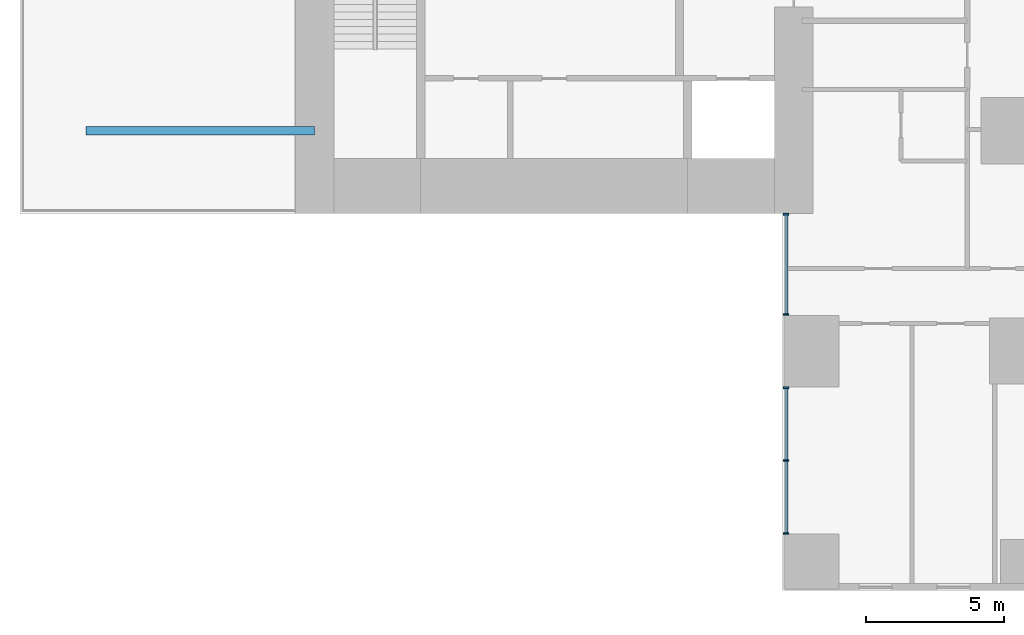
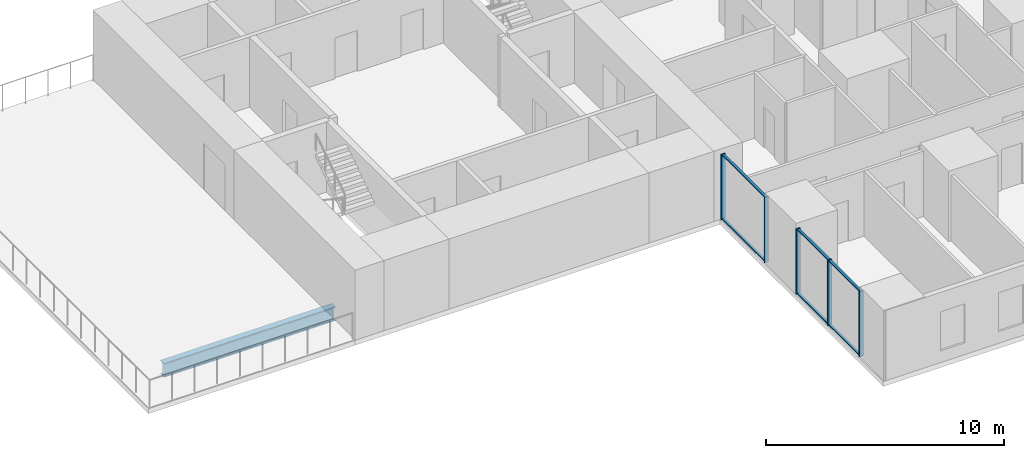
# One storey, part 2 of 14: 11 members, 1 beam, 2 elements without a shape of their own.
"""IFC4 building model written with IfcOpenShell, lengths in metres."""

from ifc_helpers import new_model, si_unit, direction, frame, origin, origin_2d, place, context, subcontext, project, spatial, rectangle, i_section, extrude, material, layer, layer_set, material_profile, profile_set, type_object, element, aggregate, save


model = new_model("IFC4")

# Units and contexts
model_context = context("Model", 3, precision=1e-05, world=origin(), true_north=direction((0.0, 1.0)))
body_context = subcontext(model_context, "Body", "Model", "MODEL_VIEW")
ifc_project = project(units=[si_unit("LENGTHUNIT", "METRE"), si_unit("AREAUNIT", "SQUARE_METRE"), si_unit("VOLUMEUNIT", "CUBIC_METRE"), si_unit("PLANEANGLEUNIT", "RADIAN"), si_unit("MASSUNIT", "GRAM", prefix="KILO")], contexts=[model_context])

# Site, building, storey
site_placement = place(None, origin())
site = spatial("IfcSite", under=ifc_project, at=site_placement, CompositionType="ELEMENT")
building_placement = place(site_placement, origin())
building = spatial("IfcBuilding", under=site, at=building_placement, Name="Cleftline Residences", CompositionType="ELEMENT")
storey_placement = place(building_placement, frame((0.0, 0.0, 230.39990234375)))
storey = spatial("IfcBuildingStorey", under=building, at=storey_placement, Name="L60", CompositionType="ELEMENT", Elevation=230.39990234375)

# Beam
ifc_material_1 = material(Name="Steel S355", Category="steel")
ifc_material_profile_1 = material_profile(ifc_material_1, i_section(OverallWidth=0.303955078125, OverallDepth=0.716064453125, WebThickness=0.02099609375, FlangeThickness=0.0400390625, FilletRadius=0.027099609375, at=origin_2d()))
ifc_profile_set_1 = profile_set([ifc_material_profile_1], Name="Steel S355")
beam_type = type_object("IfcBeamType", Name="BEAM HEM 700", PredefinedType="BEAM", material=ifc_profile_set_1)
beam_placement = place(storey_placement, frame((16.0, 16.0, -0.60791015625), z_axis=(1.0, 0.0, 0.0), x_axis=(0.0, 1.0, 0.0)))
element("IfcBeam", 1, at=beam_placement, inside=storey, type_object=beam_type, Name="Band beam", PredefinedType="BEAM", context=body_context, shape_type="SweptSolid", body=[
    extrude(i_section(OverallWidth=0.303955078125, OverallDepth=0.716064453125, WebThickness=0.02099609375, FlangeThickness=0.0400390625, FilletRadius=0.027099609375, at=origin_2d()), origin(), (0.0, 0.0, 1.0), 8.300048828125),
])

# Curtain wall, members
ifc_material_2 = material(Name="Aluminium framed curtain wall", Category="aluminium")
ifc_layer = layer(ifc_material_2, 0.199951171875)
ifc_layer_set = layer_set([ifc_layer], Name="CW1 CLEFT GLAZING")
curtain_wall_type = type_object("IfcCurtainWallType", Name="CW1 CLEFT GLAZING", PredefinedType="NOTDEFINED", material=ifc_layer_set)
curtain_wall_1_placement = place(storey_placement, origin())
curtain_wall_1 = element("IfcCurtainWall", 2, at=curtain_wall_1_placement, inside=storey, type_object=curtain_wall_type, Name="Curtain wall CW1", PredefinedType="NOTDEFINED")
ifc_material_3 = material(Name="Aluminium mullion", Category="aluminium")
ifc_material_profile_2 = material_profile(ifc_material_3, rectangle(XDim=0.199951171875, YDim=0.06005859375, at=origin_2d()))
ifc_profile_set_2 = profile_set([ifc_material_profile_2], Name="Aluminium mullion")
member_type_1 = type_object("IfcMemberType", Name="CW1 MULLION", PredefinedType="MULLION", material=ifc_profile_set_2)
member_1_placement = place(storey_placement, frame((41.425048828125, 12.969970703125, 0.0), z_axis=(0.0, 0.0, 1.0), x_axis=(1.0, 0.0, 0.0)))
member_1 = element("IfcMember", 3, at=member_1_placement, type_object=member_type_1, Name="CW1 mullion 1", PredefinedType="MULLION", context=body_context, shape_type="SweptSolid", body=[
    extrude(rectangle(XDim=0.199951171875, YDim=0.06005859375, at=origin_2d()), origin(), (0.0, 0.0, 1.0), 3.35009765625),
])
member_2_placement = place(storey_placement, frame((41.425048828125, 9.330078125, 0.0), z_axis=(0.0, 0.0, 1.0), x_axis=(1.0, 0.0, 0.0)))
member_2 = element("IfcMember", 4, at=member_2_placement, type_object=member_type_1, Name="CW1 mullion 2", PredefinedType="MULLION", context=body_context, shape_type="SweptSolid", body=[
    extrude(rectangle(XDim=0.199951171875, YDim=0.06005859375, at=origin_2d()), origin(), (0.0, 0.0, 1.0), 3.35009765625),
])

curtain_wall_2_placement = place(storey_placement, origin())
curtain_wall_2 = element("IfcCurtainWall", 5, at=curtain_wall_2_placement, inside=storey, type_object=curtain_wall_type, Name="Curtain wall CW1", PredefinedType="NOTDEFINED")
member_3_placement = place(storey_placement, frame((41.425048828125, 6.669921875, 0.0), z_axis=(0.0, 0.0, 1.0), x_axis=(1.0, 0.0, 0.0)))
member_3 = element("IfcMember", 6, at=member_3_placement, type_object=member_type_1, Name="CW1 mullion 1", PredefinedType="MULLION", context=body_context, shape_type="SweptSolid", body=[
    extrude(rectangle(XDim=0.199951171875, YDim=0.06005859375, at=origin_2d()), origin(), (0.0, 0.0, 1.0), 3.35009765625),
])
member_4_placement = place(storey_placement, frame((41.425048828125, 4.02490234375, 0.0), z_axis=(0.0, 0.0, 1.0), x_axis=(1.0, 0.0, 0.0)))
member_4 = element("IfcMember", 7, at=member_4_placement, type_object=member_type_1, Name="CW1 mullion 2", PredefinedType="MULLION", context=body_context, shape_type="SweptSolid", body=[
    extrude(rectangle(XDim=0.199951171875, YDim=0.06005859375, at=origin_2d()), origin(), (0.0, 0.0, 1.0), 3.35009765625),
])
member_5_placement = place(storey_placement, frame((41.425048828125, 1.3798828125, 0.0), z_axis=(0.0, 0.0, 1.0), x_axis=(1.0, 0.0, 0.0)))
member_5 = element("IfcMember", 8, at=member_5_placement, type_object=member_type_1, Name="CW1 mullion 3", PredefinedType="MULLION", context=body_context, shape_type="SweptSolid", body=[
    extrude(rectangle(XDim=0.199951171875, YDim=0.06005859375, at=origin_2d()), origin(), (0.0, 0.0, 1.0), 3.35009765625),
])

# Member
ifc_material_4 = material(Name="Aluminium transom", Category="aluminium")
ifc_material_profile_3 = material_profile(ifc_material_4, rectangle(XDim=0.1201171875, YDim=0.06005859375, at=origin_2d()))
ifc_profile_set_3 = profile_set([ifc_material_profile_3], Name="Aluminium transom")
member_type_2 = type_object("IfcMemberType", Name="CW1 TRANSOM", PredefinedType="USERDEFINED", material=ifc_profile_set_3)
member_6_placement = place(storey_placement, frame((41.425048828125, 12.93994140625, 0.030029296875), z_axis=(0.0, -1.0, 0.0), x_axis=(1.0, 0.0, 0.0)))
member_6 = element("IfcMember", 9, at=member_6_placement, type_object=member_type_2, Name="CW1 transom 1.1", ObjectType="TRANSOM", PredefinedType="USERDEFINED", context=body_context, shape_type="SweptSolid", body=[
    extrude(rectangle(XDim=0.1201171875, YDim=0.06005859375, at=origin_2d()), origin(), (0.0, 0.0, 1.0), 3.579833984375),
])

member_7_placement = place(storey_placement, frame((41.425048828125, 12.93994140625, 3.320068359375), z_axis=(0.0, -1.0, 0.0), x_axis=(1.0, 0.0, 0.0)))
member_7 = element("IfcMember", 10, at=member_7_placement, type_object=member_type_2, Name="CW1 transom 1.2", ObjectType="TRANSOM", PredefinedType="USERDEFINED", context=body_context, shape_type="SweptSolid", body=[
    extrude(rectangle(XDim=0.1201171875, YDim=0.06005859375, at=origin_2d()), origin(), (0.0, 0.0, 1.0), 3.579833984375),
])

aggregate(curtain_wall_1, [member_1, member_2, member_6, member_7])

member_8_placement = place(storey_placement, frame((41.425048828125, 6.639892578125, 0.030029296875), z_axis=(0.0, -1.0, 0.0), x_axis=(1.0, 0.0, 0.0)))
member_8 = element("IfcMember", 11, at=member_8_placement, type_object=member_type_2, Name="CW1 transom 1.1", ObjectType="TRANSOM", PredefinedType="USERDEFINED", context=body_context, shape_type="SweptSolid", body=[
    extrude(rectangle(XDim=0.1201171875, YDim=0.06005859375, at=origin_2d()), origin(), (0.0, 0.0, 1.0), 2.5849609375),
])

member_9_placement = place(storey_placement, frame((41.425048828125, 6.639892578125, 3.320068359375), z_axis=(0.0, -1.0, 0.0), x_axis=(1.0, 0.0, 0.0)))
member_9 = element("IfcMember", 12, at=member_9_placement, type_object=member_type_2, Name="CW1 transom 1.2", ObjectType="TRANSOM", PredefinedType="USERDEFINED", context=body_context, shape_type="SweptSolid", body=[
    extrude(rectangle(XDim=0.1201171875, YDim=0.06005859375, at=origin_2d()), origin(), (0.0, 0.0, 1.0), 2.5849609375),
])

member_10_placement = place(storey_placement, frame((41.425048828125, 3.9951171875, 0.030029296875), z_axis=(0.0, -1.0, 0.0), x_axis=(1.0, 0.0, 0.0)))
member_10 = element("IfcMember", 13, at=member_10_placement, type_object=member_type_2, Name="CW1 transom 2.1", ObjectType="TRANSOM", PredefinedType="USERDEFINED", context=body_context, shape_type="SweptSolid", body=[
    extrude(rectangle(XDim=0.1201171875, YDim=0.06005859375, at=origin_2d()), origin(), (0.0, 0.0, 1.0), 2.585205078125),
])

member_11_placement = place(storey_placement, frame((41.425048828125, 3.9951171875, 3.320068359375), z_axis=(0.0, -1.0, 0.0), x_axis=(1.0, 0.0, 0.0)))
member_11 = element("IfcMember", 14, at=member_11_placement, type_object=member_type_2, Name="CW1 transom 2.2", ObjectType="TRANSOM", PredefinedType="USERDEFINED", context=body_context, shape_type="SweptSolid", body=[
    extrude(rectangle(XDim=0.1201171875, YDim=0.06005859375, at=origin_2d()), origin(), (0.0, 0.0, 1.0), 2.585205078125),
])

aggregate(curtain_wall_2, [member_3, member_4, member_5, member_8, member_9, member_10, member_11])

save(model, "model.ifc")
